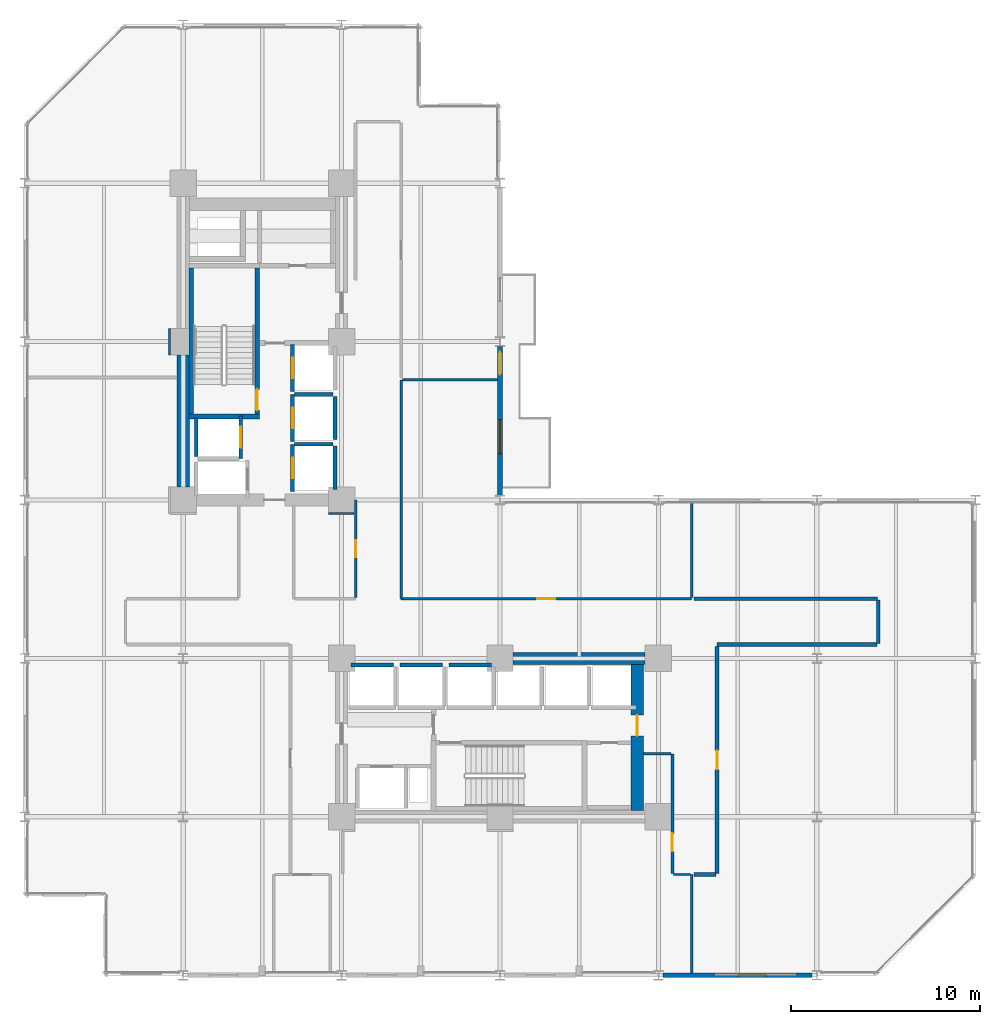
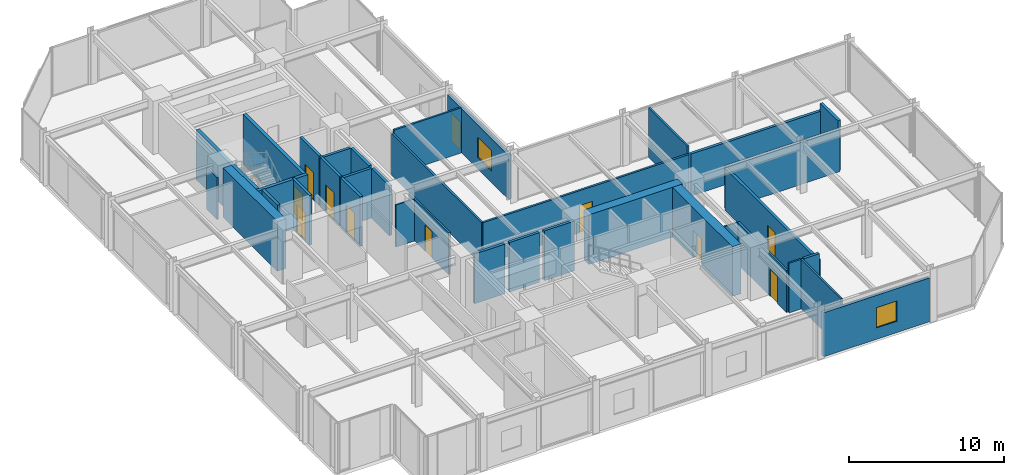
# One storey, part 20 of 24: 36 walls, 11 doors, 2 windows, 13 openings.
"""IFC4 building model written with IfcOpenShell, lengths in metres."""

from ifc_helpers import new_model, si_unit, direction, frame, frame_2d, origin, place, context, subcontext, project, spatial, rectangle, extrude, material, layer, layer_set, type_object, element, fill, save


model = new_model("IFC4")

# Units and contexts
model_context = context("Model", 3, precision=1e-05, world=origin(), true_north=direction((0.0, 1.0)))
body_context = subcontext(model_context, "Body", "Model", "MODEL_VIEW")
ifc_project = project(units=[si_unit("LENGTHUNIT", "METRE"), si_unit("AREAUNIT", "SQUARE_METRE"), si_unit("VOLUMEUNIT", "CUBIC_METRE"), si_unit("PLANEANGLEUNIT", "RADIAN"), si_unit("MASSUNIT", "GRAM", prefix="KILO")], contexts=[model_context])

# Site, building, storey
site_placement = place(None, origin())
site = spatial("IfcSite", under=ifc_project, at=site_placement, CompositionType="ELEMENT")
building_placement = place(site_placement, origin())
building = spatial("IfcBuilding", under=site, at=building_placement, Name="Nerrivon Quay Data Exchange", CompositionType="ELEMENT")
storey_placement = place(building_placement, frame((0.0, 0.0, 33.199951171875)))
storey = spatial("IfcBuildingStorey", under=building, at=storey_placement, Name="L07", CompositionType="ELEMENT", Elevation=33.199951171875)

# Wall, opening, window
ifc_material_1 = material(Name="Architectural terracotta precast concrete N50 (50 MPa)", Category="masonry")
ifc_layer_1 = layer(ifc_material_1, 0.239990234375)
ifc_layer_set_1 = layer_set([ifc_layer_1], Name="Architectural terracotta precast concrete N50 (50 MPa)")
wall_type_1 = type_object("IfcWallType", Name="EW-PREC-240", PredefinedType="STANDARD", material=ifc_layer_set_1)
wall_1_placement = place(storey_placement, frame((41.75, 0.0, 0.0), z_axis=(0.0, 0.0, 1.0), x_axis=(-1.0, 0.0, 0.0)))
wall_1 = element("IfcWall", 1, at=wall_1_placement, inside=storey, type_object=wall_type_1, Name="L07 Podium Precast Spandrel Wall 3", PredefinedType="STANDARD", context=body_context, shape_type="SweptSolid", body=[
    extrude(rectangle(XDim=7.89990234375, YDim=0.239990234375, at=frame_2d((3.949951171875, 0.0))), origin(), (0.0, 0.0, 1.0), 3.470947265625),
])
opening_1_placement = place(wall_1_placement, frame((2.4296875, 0.0, 0.89990234375)))
opening_1 = element("IfcOpeningElement", 2, at=opening_1_placement, cuts=wall_1, Name="Opening WN4", PredefinedType="OPENING", context=body_context, shape_type="SweptSolid", body=[
    extrude(rectangle(XDim=1.5, YDim=1.60009765625, at=frame_2d((0.75, 0.800048828125))), frame((0.0, 0.1298828125, 0.0), z_axis=(0.0, -1.0, 0.0), x_axis=(1.0, 0.0, 0.0)), (0.0, 0.0, 1.0), 0.260009765625),
])
ifc_material_2 = material(Name="Double-glazed low-E solar control glass", Category="glass")
window_type_1 = type_object("IfcWindowType", Name="WIN-W4-1500x1600", PartitioningType="SINGLE_PANEL", PredefinedType="WINDOW", material=ifc_material_2)
window_1_placement = place(opening_1_placement, origin())
window_1 = element("IfcWindow", 3, at=window_1_placement, inside=storey, type_object=window_type_1, Name="L07 Solar Facade Window 3", OverallHeight=1.60009765625, OverallWidth=1.5, PartitioningType="SINGLE_PANEL", PredefinedType="WINDOW", context=body_context, shape_type="SweptSolid", body=[
    extrude(rectangle(XDim=1.5, YDim=1.60009765625, at=frame_2d((0.75, 0.800048828125))), frame((0.0, 0.030029296875, 0.0), z_axis=(0.0, -1.0, 0.0), x_axis=(1.0, 0.0, 0.0)), (0.0, 0.0, 1.0), 0.06005859375),
])
fill(opening_1, window_1)

# Wall, openings, door, window
wall_2_placement = place(storey_placement, frame((25.199951171875, 33.35009765625, 0.0), z_axis=(0.0, 0.0, 1.0), x_axis=(0.0, -1.0, 0.0)))
wall_2 = element("IfcWall", 4, at=wall_2_placement, inside=storey, type_object=wall_type_1, Name="L07 Terrace Host Wall 27", PredefinedType="STANDARD", context=body_context, shape_type="SweptSolid", body=[
    extrude(rectangle(XDim=7.900146484375, YDim=0.239990234375, at=frame_2d((3.9501953125, 0.0))), origin(), (0.0, 0.0, 1.0), 3.470947265625),
])
opening_2_placement = place(wall_2_placement, frame((0.300048828125, 0.0, 0.0)))
opening_2 = element("IfcOpeningElement", 5, at=opening_2_placement, cuts=wall_2, Name="Opening TD1", PredefinedType="OPENING", context=body_context, shape_type="SweptSolid", body=[
    extrude(rectangle(XDim=1.199951171875, YDim=2.199951171875, at=frame_2d((0.60009765625, 1.10009765625))), frame((0.0, 0.1298828125, 0.0), z_axis=(0.0, -1.0, 0.0), x_axis=(1.0, 0.0, 0.0)), (0.0, 0.0, 1.0), 0.260009765625),
])
opening_3_placement = place(wall_2_placement, frame((3.8935546875, 0.0, 0.89990234375)))
opening_3 = element("IfcOpeningElement", 6, at=opening_3_placement, cuts=wall_2, Name="Opening WN2", PredefinedType="OPENING", context=body_context, shape_type="SweptSolid", body=[
    extrude(rectangle(XDim=1.800048828125, YDim=1.60009765625, at=frame_2d((0.89990234375, 0.800048828125))), frame((0.0, 0.1298828125, 0.0), z_axis=(0.0, -1.0, 0.0), x_axis=(1.0, 0.0, 0.0)), (0.0, 0.0, 1.0), 0.260009765625),
])
door_type_1 = type_object("IfcDoorType", Name="DR-TERR-1200x2200", OperationType="NOTDEFINED", PredefinedType="DOOR", material=ifc_material_2)
door_1_placement = place(opening_2_placement, origin())
door_1 = element("IfcDoor", 7, at=door_1_placement, inside=storey, type_object=door_type_1, Name="L07 Outdoor Terrace Access Door 27", OperationType="SINGLE_SWING_RIGHT", OverallHeight=2.199951171875, OverallWidth=1.199951171875, PredefinedType="DOOR", context=body_context, shape_type="SweptSolid", body=[
    extrude(rectangle(XDim=1.199951171875, YDim=2.199951171875, at=frame_2d((0.60009765625, 1.10009765625))), frame((0.0, 0.02490234375, 0.0), z_axis=(0.0, -1.0, 0.0), x_axis=(1.0, 0.0, 0.0)), (0.0, 0.0, 1.0), 0.050048828125),
])
fill(opening_2, door_1)
window_type_2 = type_object("IfcWindowType", Name="WIN-W2-1800x1600", PartitioningType="SINGLE_PANEL", PredefinedType="WINDOW", material=ifc_material_2)
window_2_placement = place(opening_3_placement, origin())
window_2 = element("IfcWindow", 8, at=window_2_placement, inside=storey, type_object=window_type_2, Name="L07 Terrace Side Window 27", OverallHeight=1.60009765625, OverallWidth=1.800048828125, PartitioningType="SINGLE_PANEL", PredefinedType="WINDOW", context=body_context, shape_type="SweptSolid", body=[
    extrude(rectangle(XDim=1.800048828125, YDim=1.60009765625, at=frame_2d((0.89990234375, 0.800048828125))), frame((0.0, 0.030029296875, 0.0), z_axis=(0.0, -1.0, 0.0), x_axis=(1.0, 0.0, 0.0)), (0.0, 0.0, 1.0), 0.06005859375),
])
fill(opening_3, window_2)

# Wall
ifc_material_3 = material(Name="Concrete N80 (80 MPa)", Category="concrete")
ifc_layer_2 = layer(ifc_material_3, 0.64990234375)
ifc_layer_set_2 = layer_set([ifc_layer_2], Name="Concrete N80 (80 MPa)")
wall_type_2 = type_object("IfcWallType", Name="WALL-CW-850", PredefinedType="SHEAR", material=ifc_layer_set_2)
wall_3_placement = place(storey_placement, frame((8.39990234375, 25.89990234375, 0.0), z_axis=(0.0, 0.0, 1.0), x_axis=(0.0, 1.0, 0.0)))
element("IfcWall", 9, at=wall_3_placement, inside=storey, type_object=wall_type_2, Name="L07 West Split-Core Shear Wall WCW-W1", PredefinedType="SHEAR", context=body_context, shape_type="SweptSolid", body=[
    extrude(rectangle(XDim=7.0, YDim=0.64990234375, at=frame_2d((3.5, 0.0))), origin(), (0.0, 0.0, 1.0), 3.925048828125),
])

# Wall, opening, door
wall_4_placement = place(storey_placement, frame((32.47509765625, 8.72509765625, 0.0), z_axis=(0.0, 0.0, 1.0), x_axis=(0.0, 1.0, 0.0)))
wall_4 = element("IfcWall", 10, at=wall_4_placement, inside=storey, type_object=wall_type_2, Name="L07 East Split-Core Shear Wall ECW-E1", PredefinedType="SHEAR", context=body_context, shape_type="SweptSolid", body=[
    extrude(rectangle(XDim=7.75, YDim=0.64990234375, at=frame_2d((3.875, 0.0))), origin(), (0.0, 0.0, 1.0), 3.925048828125),
])
opening_4_placement = place(wall_4_placement, frame((3.97509765625, 0.0, 0.0)))
opening_4 = element("IfcOpeningElement", 11, at=opening_4_placement, cuts=wall_4, Name="Opening FD-120", PredefinedType="OPENING", context=body_context, shape_type="SweptSolid", body=[
    extrude(rectangle(XDim=1.10009765625, YDim=2.14990234375, at=frame_2d((0.550048828125, 1.074951171875))), frame((0.0, 0.3349609375, 0.0), z_axis=(0.0, -1.0, 0.0), x_axis=(1.0, 0.0, 0.0)), (0.0, 0.0, 1.0), 0.669921875),
])
ifc_material_4 = material(Name="Powder-coated galvanized steel sheet", Category="steel")
door_type_2 = type_object("IfcDoorType", Name="DR-FD120-1100", OperationType="NOTDEFINED", PredefinedType="DOOR", material=ifc_material_4)
door_2_placement = place(opening_4_placement, origin())
door_2 = element("IfcDoor", 12, at=door_2_placement, inside=storey, type_object=door_type_2, Name="L07 East Core Lobby Fire Door", OperationType="SINGLE_SWING_RIGHT", OverallHeight=2.14990234375, OverallWidth=1.10009765625, PredefinedType="DOOR", context=body_context, shape_type="SweptSolid", body=[
    extrude(rectangle(XDim=1.10009765625, YDim=2.14990234375, at=frame_2d((0.550048828125, 1.074951171875))), frame((0.0, 0.02490234375, 0.0), z_axis=(0.0, -1.0, 0.0), x_axis=(1.0, 0.0, 0.0)), (0.0, 0.0, 1.0), 0.050048828125),
])
fill(opening_4, door_2)

# Wall
wall_5_placement = place(storey_placement, frame((25.89990234375, 16.800048828125, 0.0), z_axis=(0.0, 0.0, 1.0), x_axis=(1.0, 0.0, 0.0)))
element("IfcWall", 13, at=wall_5_placement, inside=storey, type_object=wall_type_2, Name="L07 East Split-Core Shear Wall ECW-N1", PredefinedType="SHEAR", context=body_context, shape_type="SweptSolid", body=[
    extrude(rectangle(XDim=7.0, YDim=0.64990234375, at=frame_2d((3.5, 0.0))), origin(), (0.0, 0.0, 1.0), 3.925048828125),
])

# Wall, opening, door
ifc_material_5 = material(Name="Gypsum plasterboard on cold-formed framing", Category="gypsum")
ifc_layer_3 = layer(ifc_material_5, 0.199951171875)
ifc_layer_set_3 = layer_set([ifc_layer_3], Name="Gypsum plasterboard on cold-formed framing")
wall_type_3 = type_object("IfcWallType", Name="WALL-FW-200", PredefinedType="PARTITIONING", material=ifc_layer_set_3)
wall_6_placement = place(storey_placement, frame((11.449951171875, 27.39990234375, 0.0), z_axis=(0.0, 0.0, 1.0), x_axis=(0.0, 1.0, 0.0)))
wall_6 = element("IfcWall", 14, at=wall_6_placement, inside=storey, type_object=wall_type_3, Name="L07 Lift Front Wall FFL-1", PredefinedType="PARTITIONING", context=body_context, shape_type="SweptSolid", body=[
    extrude(rectangle(XDim=2.25, YDim=0.199951171875, at=frame_2d((1.125, 0.0))), origin(), (0.0, 0.0, 1.0), 3.925048828125),
])
opening_5_placement = place(wall_6_placement, frame((0.574951171875, 0.0, 0.0)))
opening_5 = element("IfcOpeningElement", 15, at=opening_5_placement, cuts=wall_6, Name="Opening LD-120", PredefinedType="OPENING", context=body_context, shape_type="SweptSolid", body=[
    extrude(rectangle(XDim=1.10009765625, YDim=2.199951171875, at=frame_2d((0.550048828125, 1.10009765625))), frame((0.0, 0.10986328125, 0.0), z_axis=(0.0, -1.0, 0.0), x_axis=(1.0, 0.0, 0.0)), (0.0, 0.0, 1.0), 0.219970703125),
])
door_type_3 = type_object("IfcDoorType", Name="DR-LIFT-LD120", OperationType="DOUBLE_DOOR_SLIDING", PredefinedType="DOOR", material=ifc_material_4)
door_3_placement = place(opening_5_placement, origin())
door_3 = element("IfcDoor", 16, at=door_3_placement, inside=storey, type_object=door_type_3, Name="L07 Lift Landing Sliding Door FFL-1", OperationType="DOUBLE_DOOR_SLIDING", OverallHeight=2.199951171875, OverallWidth=1.10009765625, PredefinedType="DOOR", context=body_context, shape_type="SweptSolid", body=[
    extrude(rectangle(XDim=1.10009765625, YDim=2.199951171875, at=frame_2d((0.550048828125, 1.10009765625))), frame((0.0, 0.02490234375, 0.0), z_axis=(0.0, -1.0, 0.0), x_axis=(1.0, 0.0, 0.0)), (0.0, 0.0, 1.0), 0.050048828125),
])
fill(opening_5, door_3)

# Wall
wall_7_placement = place(storey_placement, frame((9.10009765625, 27.5, 0.0), z_axis=(0.0, 0.0, 1.0), x_axis=(0.0, 1.0, 0.0)))
element("IfcWall", 17, at=wall_7_placement, inside=storey, type_object=wall_type_3, Name="L07 Lift Shaft Wall FFL-1 WEST", PredefinedType="PARTITIONING", context=body_context, shape_type="SweptSolid", body=[
    extrude(rectangle(XDim=2.050048828125, YDim=0.199951171875, at=frame_2d((1.02490234375, 0.0))), origin(), (0.0, 0.0, 1.0), 3.925048828125),
])

# Wall, opening, door
wall_8_placement = place(storey_placement, frame((14.199951171875, 25.64990234375, 0.0), z_axis=(0.0, 0.0, 1.0), x_axis=(0.0, 1.0, 0.0)))
wall_8 = element("IfcWall", 18, at=wall_8_placement, inside=storey, type_object=wall_type_3, Name="L07 Lift Front Wall PL1", PredefinedType="PARTITIONING", context=body_context, shape_type="SweptSolid", body=[
    extrude(rectangle(XDim=2.5, YDim=0.199951171875, at=frame_2d((1.25, 0.0))), origin(), (0.0, 0.0, 1.0), 3.925048828125),
])
opening_6_placement = place(wall_8_placement, frame((0.699951171875, 0.0, 0.0)))
opening_6 = element("IfcOpeningElement", 19, at=opening_6_placement, cuts=wall_8, Name="Opening LD-120", PredefinedType="OPENING", context=body_context, shape_type="SweptSolid", body=[
    extrude(rectangle(XDim=1.10009765625, YDim=2.199951171875, at=frame_2d((0.550048828125, 1.10009765625))), frame((0.0, 0.10986328125, 0.0), z_axis=(0.0, -1.0, 0.0), x_axis=(1.0, 0.0, 0.0)), (0.0, 0.0, 1.0), 0.219970703125),
])
door_4_placement = place(opening_6_placement, origin())
door_4 = element("IfcDoor", 20, at=door_4_placement, inside=storey, type_object=door_type_3, Name="L07 Lift Landing Sliding Door PL1", OperationType="DOUBLE_DOOR_SLIDING", OverallHeight=2.199951171875, OverallWidth=1.10009765625, PredefinedType="DOOR", context=body_context, shape_type="SweptSolid", body=[
    extrude(rectangle(XDim=1.10009765625, YDim=2.199951171875, at=frame_2d((0.550048828125, 1.10009765625))), frame((0.0, 0.02490234375, 0.0), z_axis=(0.0, -1.0, 0.0), x_axis=(1.0, 0.0, 0.0)), (0.0, 0.0, 1.0), 0.050048828125),
])
fill(opening_6, door_4)

# Walls
wall_9_placement = place(storey_placement, frame((16.449951171875, 25.75, 0.0), z_axis=(0.0, 0.0, 1.0), x_axis=(0.0, 1.0, 0.0)))
element("IfcWall", 21, at=wall_9_placement, inside=storey, type_object=wall_type_3, Name="L07 Lift Shaft Wall PL1 EAST", PredefinedType="PARTITIONING", context=body_context, shape_type="SweptSolid", body=[
    extrude(rectangle(XDim=2.300048828125, YDim=0.199951171875, at=frame_2d((1.14990234375, 0.0))), origin(), (0.0, 0.0, 1.0), 3.925048828125),
])
wall_10_placement = place(storey_placement, frame((14.300048828125, 28.14990234375, 0.0), z_axis=(0.0, 0.0, 1.0), x_axis=(1.0, 0.0, 0.0)))
element("IfcWall", 22, at=wall_10_placement, inside=storey, type_object=wall_type_3, Name="L07 Lift Shaft Wall PL1 NORTH", PredefinedType="PARTITIONING", context=body_context, shape_type="SweptSolid", body=[
    extrude(rectangle(XDim=2.050048828125, YDim=0.199951171875, at=frame_2d((1.02490234375, 0.0))), origin(), (0.0, 0.0, 1.0), 3.925048828125),
])

# Wall, opening, door
wall_11_placement = place(storey_placement, frame((14.199951171875, 28.300048828125, 0.0), z_axis=(0.0, 0.0, 1.0), x_axis=(0.0, 1.0, 0.0)))
wall_11 = element("IfcWall", 23, at=wall_11_placement, inside=storey, type_object=wall_type_3, Name="L07 Lift Front Wall PL2", PredefinedType="PARTITIONING", context=body_context, shape_type="SweptSolid", body=[
    extrude(rectangle(XDim=2.5, YDim=0.199951171875, at=frame_2d((1.25, 0.0))), origin(), (0.0, 0.0, 1.0), 3.925048828125),
])
opening_7_placement = place(wall_11_placement, frame((0.699951171875, 0.0, 0.0)))
opening_7 = element("IfcOpeningElement", 24, at=opening_7_placement, cuts=wall_11, Name="Opening LD-120", PredefinedType="OPENING", context=body_context, shape_type="SweptSolid", body=[
    extrude(rectangle(XDim=1.10009765625, YDim=2.199951171875, at=frame_2d((0.550048828125, 1.10009765625))), frame((0.0, 0.10986328125, 0.0), z_axis=(0.0, -1.0, 0.0), x_axis=(1.0, 0.0, 0.0)), (0.0, 0.0, 1.0), 0.219970703125),
])
door_5_placement = place(opening_7_placement, origin())
door_5 = element("IfcDoor", 25, at=door_5_placement, inside=storey, type_object=door_type_3, Name="L07 Lift Landing Sliding Door PL2", OperationType="DOUBLE_DOOR_SLIDING", OverallHeight=2.199951171875, OverallWidth=1.10009765625, PredefinedType="DOOR", context=body_context, shape_type="SweptSolid", body=[
    extrude(rectangle(XDim=1.10009765625, YDim=2.199951171875, at=frame_2d((0.550048828125, 1.10009765625))), frame((0.0, 0.02490234375, 0.0), z_axis=(0.0, -1.0, 0.0), x_axis=(1.0, 0.0, 0.0)), (0.0, 0.0, 1.0), 0.050048828125),
])
fill(opening_7, door_5)

# Walls
wall_12_placement = place(storey_placement, frame((16.449951171875, 28.39990234375, 0.0), z_axis=(0.0, 0.0, 1.0), x_axis=(0.0, 1.0, 0.0)))
element("IfcWall", 26, at=wall_12_placement, inside=storey, type_object=wall_type_3, Name="L07 Lift Shaft Wall PL2 EAST", PredefinedType="PARTITIONING", context=body_context, shape_type="SweptSolid", body=[
    extrude(rectangle(XDim=2.300048828125, YDim=0.199951171875, at=frame_2d((1.14990234375, 0.0))), origin(), (0.0, 0.0, 1.0), 3.925048828125),
])
wall_13_placement = place(storey_placement, frame((14.300048828125, 30.800048828125, 0.0), z_axis=(0.0, 0.0, 1.0), x_axis=(1.0, 0.0, 0.0)))
element("IfcWall", 27, at=wall_13_placement, inside=storey, type_object=wall_type_3, Name="L07 Lift Shaft Wall PL2 NORTH", PredefinedType="PARTITIONING", context=body_context, shape_type="SweptSolid", body=[
    extrude(rectangle(XDim=2.050048828125, YDim=0.199951171875, at=frame_2d((1.02490234375, 0.0))), origin(), (0.0, 0.0, 1.0), 3.925048828125),
])

# Wall, opening, door
wall_14_placement = place(storey_placement, frame((14.199951171875, 30.949951171875, 0.0), z_axis=(0.0, 0.0, 1.0), x_axis=(0.0, 1.0, 0.0)))
wall_14 = element("IfcWall", 28, at=wall_14_placement, inside=storey, type_object=wall_type_3, Name="L07 Lift Front Wall PL3", PredefinedType="PARTITIONING", context=body_context, shape_type="SweptSolid", body=[
    extrude(rectangle(XDim=2.5, YDim=0.199951171875, at=frame_2d((1.25, 0.0))), origin(), (0.0, 0.0, 1.0), 3.925048828125),
])
opening_8_placement = place(wall_14_placement, frame((0.699951171875, 0.0, 0.0)))
opening_8 = element("IfcOpeningElement", 29, at=opening_8_placement, cuts=wall_14, Name="Opening LD-120", PredefinedType="OPENING", context=body_context, shape_type="SweptSolid", body=[
    extrude(rectangle(XDim=1.10009765625, YDim=2.199951171875, at=frame_2d((0.550048828125, 1.10009765625))), frame((0.0, 0.10986328125, 0.0), z_axis=(0.0, -1.0, 0.0), x_axis=(1.0, 0.0, 0.0)), (0.0, 0.0, 1.0), 0.219970703125),
])
door_6_placement = place(opening_8_placement, origin())
door_6 = element("IfcDoor", 30, at=door_6_placement, inside=storey, type_object=door_type_3, Name="L07 Lift Landing Sliding Door PL3", OperationType="DOUBLE_DOOR_SLIDING", OverallHeight=2.199951171875, OverallWidth=1.10009765625, PredefinedType="DOOR", context=body_context, shape_type="SweptSolid", body=[
    extrude(rectangle(XDim=1.10009765625, YDim=2.199951171875, at=frame_2d((0.550048828125, 1.10009765625))), frame((0.0, 0.02490234375, 0.0), z_axis=(0.0, -1.0, 0.0), x_axis=(1.0, 0.0, 0.0)), (0.0, 0.0, 1.0), 0.050048828125),
])
fill(opening_8, door_6)

# Walls
for number, where, z_axis, x_axis, name in (
    (31, (17.300048828125, 16.449951171875, 0.0), (0.0, 0.0, 1.0), (1.0, 0.0, 0.0), "L07 Lift Shaft Wall PL4 NORTH"),
    (32, (19.89990234375, 16.449951171875, 0.0), (0.0, 0.0, 1.0), (1.0, 0.0, 0.0), "L07 Lift Shaft Wall PL5 NORTH"),
    (33, (22.5, 16.449951171875, 0.0), (0.0, 0.0, 1.0), (1.0, 0.0, 0.0), "L07 Lift Shaft Wall PL6 NORTH"),
):
    element("IfcWall", number, at=place(storey_placement, frame(where, z_axis=z_axis, x_axis=x_axis)), inside=storey, type_object=wall_type_3, Name=name, PredefinedType="PARTITIONING", context=body_context, shape_type="SweptSolid", body=[
        extrude(rectangle(XDim=2.25, YDim=0.199951171875, at=frame_2d((1.125, 0.0))), origin(), (0.0, 0.0, 1.0), 3.925048828125),
    ])
wall_15_placement = place(storey_placement, frame((36.64990234375, 5.340087890625, 0.0), z_axis=(0.0, 0.0, 1.0), x_axis=(-1.0, 0.0, 0.0)))
element("IfcWall", 34, at=wall_15_placement, inside=storey, type_object=wall_type_3, Name="L07 Partition Colocation Data Workspace 1", PredefinedType="PARTITIONING", context=body_context, shape_type="SweptSolid", body=[
    extrude(rectangle(XDim=1.16943359375, YDim=0.199951171875, at=frame_2d((0.584716796875, 0.0))), origin(), (0.0, 0.0, 1.0), 3.925048828125),
])
wall_16_placement = place(storey_placement, frame((35.48046875, 19.959716796875, 0.0), z_axis=(0.0, 0.0, 1.0), x_axis=(1.0, 0.0, 0.0)))
element("IfcWall", 35, at=wall_16_placement, inside=storey, type_object=wall_type_3, Name="L07 Partition Colocation Data Workspace 1", PredefinedType="PARTITIONING", context=body_context, shape_type="SweptSolid", body=[
    extrude(rectangle(XDim=9.725341796875, YDim=0.199951171875, at=frame_2d((4.86279296875, 0.0))), origin(), (0.0, 0.0, 1.0), 3.322998046875),
])
wall_17_placement = place(storey_placement, frame((45.260009765625, 19.89990234375, 0.0), z_axis=(0.0, 0.0, 1.0), x_axis=(-0.000105876124, -0.999999994395, 0.0)))
element("IfcWall", 36, at=wall_17_placement, inside=storey, type_object=wall_type_3, Name="L07 Partition Colocation Data Workspace 1", PredefinedType="PARTITIONING", context=body_context, shape_type="SweptSolid", body=[
    extrude(rectangle(XDim=2.305908203125, YDim=0.199951171875, at=frame_2d((1.15283203125, 0.0))), origin(), (0.0, 0.0, 1.0), 3.925048828125),
])
wall_18_placement = place(storey_placement, frame((45.199951171875, 17.5400390625, 0.0), z_axis=(0.0, 0.0, 1.0), x_axis=(-1.0, 0.0, 0.0)))
element("IfcWall", 37, at=wall_18_placement, inside=storey, type_object=wall_type_3, Name="L07 Partition Colocation Data Workspace 1", PredefinedType="PARTITIONING", context=body_context, shape_type="SweptSolid", body=[
    extrude(rectangle(XDim=8.489990234375, YDim=0.199951171875, at=frame_2d((4.2451171875, 0.0))), origin(), (0.0, 0.0, 1.0), 3.322998046875),
])

# Wall, opening, door
wall_19_placement = place(storey_placement, frame((36.7099609375, 17.43603515625, 0.0), z_axis=(0.0, 0.0, 1.0), x_axis=(0.0, -1.0, 0.0)))
wall_19 = element("IfcWall", 38, at=wall_19_placement, inside=storey, type_object=wall_type_3, Name="L07 Partition Colocation Data Workspace 1", PredefinedType="PARTITIONING", context=body_context, shape_type="SweptSolid", body=[
    extrude(rectangle(XDim=12.0361328125, YDim=0.199951171875, at=frame_2d((6.01806640625, 0.0))), origin(), (0.0, 0.0, 1.0), 3.31298828125),
])
opening_9_placement = place(wall_19_placement, frame((5.51806640625, 0.0, 0.0)))
opening_9 = element("IfcOpeningElement", 39, at=opening_9_placement, cuts=wall_19, Name="Opening FD-60", PredefinedType="OPENING", context=body_context, shape_type="SweptSolid", body=[
    extrude(rectangle(XDim=1.0, YDim=2.14990234375, at=frame_2d((0.5, 1.074951171875))), frame((0.0, 0.10986328125, 0.0), z_axis=(0.0, -1.0, 0.0), x_axis=(1.0, 0.0, 0.0)), (0.0, 0.0, 1.0), 0.219970703125),
])
ifc_material_6 = material(Name="Engineered hardwood timber", Category="wood")
door_type_4 = type_object("IfcDoorType", Name="DR-FD60-1000", OperationType="NOTDEFINED", PredefinedType="DOOR", material=ifc_material_6)
door_7_placement = place(opening_9_placement, origin())
door_7 = element("IfcDoor", 40, at=door_7_placement, inside=storey, type_object=door_type_4, Name="L07 Door Colocation Data Workspace 1", OperationType="SINGLE_SWING_LEFT", OverallHeight=2.14990234375, OverallWidth=1.0, PredefinedType="DOOR", context=body_context, shape_type="SweptSolid", body=[
    extrude(rectangle(XDim=1.0, YDim=2.14990234375, at=frame_2d((0.5, 1.074951171875))), frame((0.0, 0.02490234375, 0.0), z_axis=(0.0, -1.0, 0.0), x_axis=(1.0, 0.0, 0.0)), (0.0, 0.0, 1.0), 0.050048828125),
])
fill(opening_9, door_7)

# Walls
ifc_layer_4 = layer(ifc_material_5, 0.1201171875)
ifc_layer_set_4 = layer_set([ifc_layer_4], Name="Gypsum plasterboard on cold-formed framing")
wall_type_4 = type_object("IfcWallType", Name="WALL-PT-120", PredefinedType="PARTITIONING", material=ifc_layer_set_4)
wall_20_placement = place(storey_placement, frame((17.468505859375, 24.48046875, 0.0), z_axis=(0.0, 0.0, 1.0), x_axis=(-0.99999993688, 0.000355302873, 0.0)))
element("IfcWall", 41, at=wall_20_placement, inside=storey, type_object=wall_type_4, Name="L07 Partition Public Washrooms", PredefinedType="PARTITIONING", context=body_context, shape_type="SweptSolid", body=[
    extrude(rectangle(XDim=1.374267578125, YDim=0.1201171875, at=frame_2d((0.68701171875, 0.0))), origin(), (0.0, 0.0, 1.0), 3.322998046875),
])
wall_21_placement = place(storey_placement, frame((35.288818359375, 5.340087890625, 0.0), z_axis=(0.0, 0.0, 1.0), x_axis=(-1.0, 0.0, 0.0)))
element("IfcWall", 42, at=wall_21_placement, inside=storey, type_object=wall_type_4, Name="L07 Partition Technical Library", PredefinedType="PARTITIONING", context=body_context, shape_type="SweptSolid", body=[
    extrude(rectangle(XDim=0.888916015625, YDim=0.1201171875, at=frame_2d((0.4443359375, 0.0))), origin(), (0.0, 0.0, 1.0), 3.925048828125),
])
wall_22_placement = place(storey_placement, frame((34.260986328125, 11.739990234375, 0.0), z_axis=(0.0, 0.0, 1.0), x_axis=(-1.0, 0.0, 0.0)))
element("IfcWall", 43, at=wall_22_placement, inside=storey, type_object=wall_type_4, Name="L07 Partition Technical Library", PredefinedType="PARTITIONING", context=body_context, shape_type="SweptSolid", body=[
    extrude(rectangle(XDim=1.45703125, YDim=0.1201171875, at=frame_2d((0.728515625, 0.0))), origin(), (0.0, 0.0, 1.0), 3.322998046875),
])
wall_23_placement = place(storey_placement, frame((7.680419921875, 32.89599609375, 0.0), z_axis=(0.0, 0.0, 1.0), x_axis=(-0.000347765585, 0.99999993953, 0.0)))
element("IfcWall", 44, at=wall_23_placement, inside=storey, type_object=wall_type_4, Name="L07 Partition Cloud Compute Workspace 1", PredefinedType="PARTITIONING", context=body_context, shape_type="SweptSolid", body=[
    extrude(rectangle(XDim=1.404052734375, YDim=0.1201171875, at=frame_2d((0.7021484375, 0.0))), origin(), (0.0, 0.0, 1.0), 3.31298828125),
])

# Wall, opening, door
ifc_layer_5 = layer(ifc_material_5, 0.135009765625)
ifc_layer_set_5 = layer_set([ifc_layer_5], Name="Gypsum plasterboard on cold-formed framing")
wall_type_5 = type_object("IfcWallType", Name="WALL-PT-135", PredefinedType="PARTITIONING", material=ifc_layer_set_5)
wall_24_placement = place(storey_placement, frame((17.5400390625, 20.031494140625, 0.0), z_axis=(0.0, 0.0, 1.0), x_axis=(0.0, 1.0, 0.0)))
wall_24 = element("IfcWall", 45, at=wall_24_placement, inside=storey, type_object=wall_type_5, Name="L07 Partition Public Washrooms", PredefinedType="PARTITIONING", context=body_context, shape_type="SweptSolid", body=[
    extrude(rectangle(XDim=5.16845703125, YDim=0.135009765625, at=frame_2d((2.584228515625, 0.0))), origin(), (0.0, 0.0, 1.0), 3.31298828125),
])
opening_10_placement = place(wall_24_placement, frame((2.124267578125, 0.0, 0.0)))
opening_10 = element("IfcOpeningElement", 46, at=opening_10_placement, cuts=wall_24, Name="Opening D-WC", PredefinedType="OPENING", context=body_context, shape_type="SweptSolid", body=[
    extrude(rectangle(XDim=0.919921875, YDim=2.10009765625, at=frame_2d((0.4599609375, 1.050048828125))), frame((0.0, 0.077392578125, 0.0), z_axis=(0.0, -1.0, 0.0), x_axis=(1.0, 0.0, 0.0)), (0.0, 0.0, 1.0), 0.155029296875),
])
door_type_5 = type_object("IfcDoorType", Name="DR-WC-920", OperationType="NOTDEFINED", PredefinedType="DOOR", material=ifc_material_6)
door_8_placement = place(opening_10_placement, origin())
door_8 = element("IfcDoor", 47, at=door_8_placement, inside=storey, type_object=door_type_5, Name="L07 Door Public Washrooms", OperationType="SINGLE_SWING_LEFT", OverallHeight=2.10009765625, OverallWidth=0.919921875, PredefinedType="DOOR", context=body_context, shape_type="SweptSolid", body=[
    extrude(rectangle(XDim=0.919921875, YDim=2.10009765625, at=frame_2d((0.4599609375, 1.050048828125))), frame((0.0, 0.02490234375, 0.0), z_axis=(0.0, -1.0, 0.0), x_axis=(1.0, 0.0, 0.0)), (0.0, 0.0, 1.0), 0.050048828125),
])
fill(opening_10, door_8)

# Walls
wall_25_placement = place(storey_placement, frame((35.3603515625, 20.038818359375, 0.0), z_axis=(0.0, 0.0, 1.0), x_axis=(0.0, 1.0, 0.0)))
element("IfcWall", 48, at=wall_25_placement, inside=storey, type_object=wall_type_5, Name="L07 Partition Staff Pantry", PredefinedType="PARTITIONING", context=body_context, shape_type="SweptSolid", body=[
    extrude(rectangle(XDim=4.9921875, YDim=0.135009765625, at=frame_2d((2.49609375, 0.0))), origin(), (0.0, 0.0, 1.0), 3.925048828125),
])
wall_26_placement = place(storey_placement, frame((25.075927734375, 31.57275390625, 0.0), z_axis=(0.0, 0.0, 1.0), x_axis=(-1.0, 0.0, 0.0)))
element("IfcWall", 49, at=wall_26_placement, inside=storey, type_object=wall_type_5, Name="L07 Partition Staff Pantry", PredefinedType="PARTITIONING", context=body_context, shape_type="SweptSolid", body=[
    extrude(rectangle(XDim=5.036865234375, YDim=0.135009765625, at=frame_2d((2.5185546875, 0.0))), origin(), (0.0, 0.0, 1.0), 3.566162109375),
])
wall_27_placement = place(storey_placement, frame((35.3603515625, 0.1240234375, 0.0), z_axis=(0.0, 0.0, 1.0), x_axis=(0.0, 1.0, 0.0)))
element("IfcWall", 50, at=wall_27_placement, inside=storey, type_object=wall_type_5, Name="L07 Partition Technical Library", PredefinedType="PARTITIONING", context=body_context, shape_type="SweptSolid", body=[
    extrude(rectangle(XDim=5.216064453125, YDim=0.135009765625, at=frame_2d((2.60791015625, 0.0))), origin(), (0.0, 0.0, 1.0), 3.925048828125),
])
ifc_layer_6 = layer(ifc_material_5, 0.14990234375)
ifc_layer_set_6 = layer_set([ifc_layer_6], Name="Gypsum plasterboard on cold-formed framing")
wall_type_6 = type_object("IfcWallType", Name="WALL-PT-150", PredefinedType="PARTITIONING", material=ifc_layer_set_6)
wall_28_placement = place(storey_placement, frame((19.9599609375, 31.57275390625, 0.0), z_axis=(0.0, 0.0, 1.0), x_axis=(0.0, -1.0, 0.0)))
element("IfcWall", 51, at=wall_28_placement, inside=storey, type_object=wall_type_6, Name="L07 Partition Staff Pantry", PredefinedType="PARTITIONING", context=body_context, shape_type="SweptSolid", body=[
    extrude(rectangle(XDim=11.61279296875, YDim=0.14990234375, at=frame_2d((5.806396484375, 0.0))), origin(), (0.0, 0.0, 1.0), 3.31298828125),
])

# Wall, opening, door
wall_29_placement = place(storey_placement, frame((19.9599609375, 19.9599609375, 0.0), z_axis=(0.0, 0.0, 1.0), x_axis=(0.999999999874, -1.5852885e-05, 0.0)))
wall_29 = element("IfcWall", 52, at=wall_29_placement, inside=storey, type_object=wall_type_6, Name="L07 Partition Staff Pantry", PredefinedType="PARTITIONING", context=body_context, shape_type="SweptSolid", body=[
    extrude(rectangle(XDim=15.400390625, YDim=0.14990234375, at=frame_2d((7.7001953125, 0.0))), origin(), (0.0, 0.0, 1.0), 3.322998046875),
])
opening_11_placement = place(wall_29_placement, frame((7.22509765625, 0.0, 0.0)))
opening_11 = element("IfcOpeningElement", 53, at=opening_11_placement, cuts=wall_29, Name="Opening D-01", PredefinedType="OPENING", context=body_context, shape_type="SweptSolid", body=[
    extrude(rectangle(XDim=0.949951171875, YDim=2.14990234375, at=frame_2d((0.47509765625, 1.074951171875))), frame((0.0, 0.0849609375, 0.0), z_axis=(0.0, -1.0, 0.0), x_axis=(1.0, 0.0, 0.0)), (0.0, 0.0, 1.0), 0.169921875),
])
door_type_6 = type_object("IfcDoorType", Name="DR-INT-950", OperationType="NOTDEFINED", PredefinedType="DOOR", material=ifc_material_6)
door_9_placement = place(opening_11_placement, origin())
door_9 = element("IfcDoor", 54, at=door_9_placement, inside=storey, type_object=door_type_6, Name="L07 Door Staff Pantry", OperationType="SINGLE_SWING_RIGHT", OverallHeight=2.14990234375, OverallWidth=0.949951171875, PredefinedType="DOOR", context=body_context, shape_type="SweptSolid", body=[
    extrude(rectangle(XDim=0.949951171875, YDim=2.14990234375, at=frame_2d((0.47509765625, 1.074951171875))), frame((0.0, 0.02490234375, 0.0), z_axis=(0.0, -1.0, 0.0), x_axis=(1.0, 0.0, 0.0)), (0.0, 0.0, 1.0), 0.050048828125),
])
fill(opening_11, door_9)

wall_30_placement = place(storey_placement, frame((34.340087890625, 5.39990234375, 0.0), z_axis=(0.0, 0.0, 1.0), x_axis=(0.0, 1.0, 0.0)))
wall_30 = element("IfcWall", 55, at=wall_30_placement, inside=storey, type_object=wall_type_6, Name="L07 Partition Technical Library", PredefinedType="PARTITIONING", context=body_context, shape_type="SweptSolid", body=[
    extrude(rectangle(XDim=6.340087890625, YDim=0.14990234375, at=frame_2d((3.169921875, 0.0))), origin(), (0.0, 0.0, 1.0), 3.31298828125),
])
opening_12_placement = place(wall_30_placement, frame((1.17333984375, 0.0, 0.0)))
opening_12 = element("IfcOpeningElement", 56, at=opening_12_placement, cuts=wall_30, Name="Opening D-01", PredefinedType="OPENING", context=body_context, shape_type="SweptSolid", body=[
    extrude(rectangle(XDim=0.949951171875, YDim=2.14990234375, at=frame_2d((0.47509765625, 1.074951171875))), frame((0.0, 0.0849609375, 0.0), z_axis=(0.0, -1.0, 0.0), x_axis=(1.0, 0.0, 0.0)), (0.0, 0.0, 1.0), 0.169921875),
])
door_10_placement = place(opening_12_placement, origin())
door_10 = element("IfcDoor", 57, at=door_10_placement, inside=storey, type_object=door_type_6, Name="L07 Door Technical Library", OperationType="SINGLE_SWING_LEFT", OverallHeight=2.14990234375, OverallWidth=0.949951171875, PredefinedType="DOOR", context=body_context, shape_type="SweptSolid", body=[
    extrude(rectangle(XDim=0.949951171875, YDim=2.14990234375, at=frame_2d((0.47509765625, 1.074951171875))), frame((0.0, 0.02490234375, 0.0), z_axis=(0.0, -1.0, 0.0), x_axis=(1.0, 0.0, 0.0)), (0.0, 0.0, 1.0), 0.050048828125),
])
fill(opening_12, door_10)

# Wall
ifc_material_7 = material(Name="Concrete N50 (50 MPa)", Category="concrete")
ifc_layer_7 = layer(ifc_material_7, 0.25)
ifc_layer_set_7 = layer_set([ifc_layer_7], Name="Concrete N50 (50 MPa)")
wall_type_7 = type_object("IfcWallType", Name="WALL-SW-250", PredefinedType="SHEAR", material=ifc_layer_set_7)
wall_31_placement = place(storey_placement, frame((12.449951171875, 29.625, 0.0), z_axis=(0.0, 0.0, 1.0), x_axis=(-1.0, 0.0, 0.0)))
element("IfcWall", 58, at=wall_31_placement, inside=storey, type_object=wall_type_7, Name="L07 ST01 Structural Stair Core Wall NEAR", PredefinedType="SHEAR", context=body_context, shape_type="SweptSolid", body=[
    extrude(rectangle(XDim=3.75, YDim=0.25, at=frame_2d((1.875, 0.0))), origin(), (0.0, 0.0, 1.0), 3.925048828125),
])

# Wall, opening, door
wall_32_placement = place(storey_placement, frame((12.324951171875, 29.75, 0.0), z_axis=(0.0, 0.0, 1.0), x_axis=(0.0, 1.0, 0.0)))
wall_32 = element("IfcWall", 59, at=wall_32_placement, inside=storey, type_object=wall_type_7, Name="L07 ST01 Structural Stair Core Wall LEFT", PredefinedType="SHEAR", context=body_context, shape_type="SweptSolid", body=[
    extrude(rectangle(XDim=7.75, YDim=0.25, at=frame_2d((3.875, 0.0))), origin(), (0.0, 0.0, 1.0), 3.925048828125),
])
opening_13_placement = place(wall_32_placement, frame((0.219970703125, 0.0, 0.0)))
opening_13 = element("IfcOpeningElement", 60, at=opening_13_placement, cuts=wall_32, Name="Opening FD-120", PredefinedType="OPENING", context=body_context, shape_type="SweptSolid", body=[
    extrude(rectangle(XDim=1.10009765625, YDim=2.14990234375, at=frame_2d((0.550048828125, 1.074951171875))), frame((0.0, 0.135009765625, 0.0), z_axis=(0.0, -1.0, 0.0), x_axis=(1.0, 0.0, 0.0)), (0.0, 0.0, 1.0), 0.27001953125),
])
door_11_placement = place(opening_13_placement, origin())
door_11 = element("IfcDoor", 61, at=door_11_placement, inside=storey, type_object=door_type_2, Name="L07 Protected Stair Door ST01", OperationType="SINGLE_SWING_RIGHT", OverallHeight=2.14990234375, OverallWidth=1.10009765625, PredefinedType="DOOR", context=body_context, shape_type="SweptSolid", body=[
    extrude(rectangle(XDim=1.10009765625, YDim=2.14990234375, at=frame_2d((0.550048828125, 1.074951171875))), frame((0.0, 0.02490234375, 0.0), z_axis=(0.0, -1.0, 0.0), x_axis=(1.0, 0.0, 0.0)), (0.0, 0.0, 1.0), 0.050048828125),
])
fill(opening_13, door_11)

# Wall
wall_33_placement = place(storey_placement, frame((8.824951171875, 29.75, 0.0), z_axis=(0.0, 0.0, 1.0), x_axis=(0.0, 1.0, 0.0)))
element("IfcWall", 62, at=wall_33_placement, inside=storey, type_object=wall_type_7, Name="L07 ST01 Structural Stair Core Wall RIGHT", PredefinedType="SHEAR", context=body_context, shape_type="SweptSolid", body=[
    extrude(rectangle(XDim=7.75, YDim=0.25, at=frame_2d((3.875, 0.0))), origin(), (0.0, 0.0, 1.0), 3.925048828125),
])

save(model, "model.ifc")
